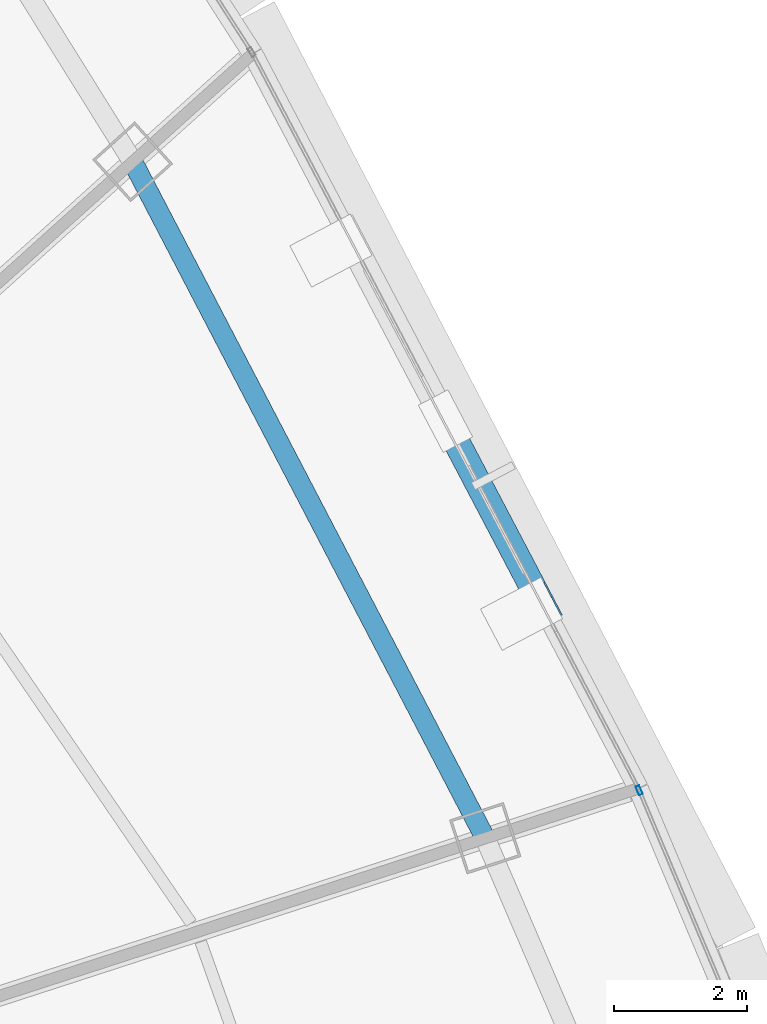
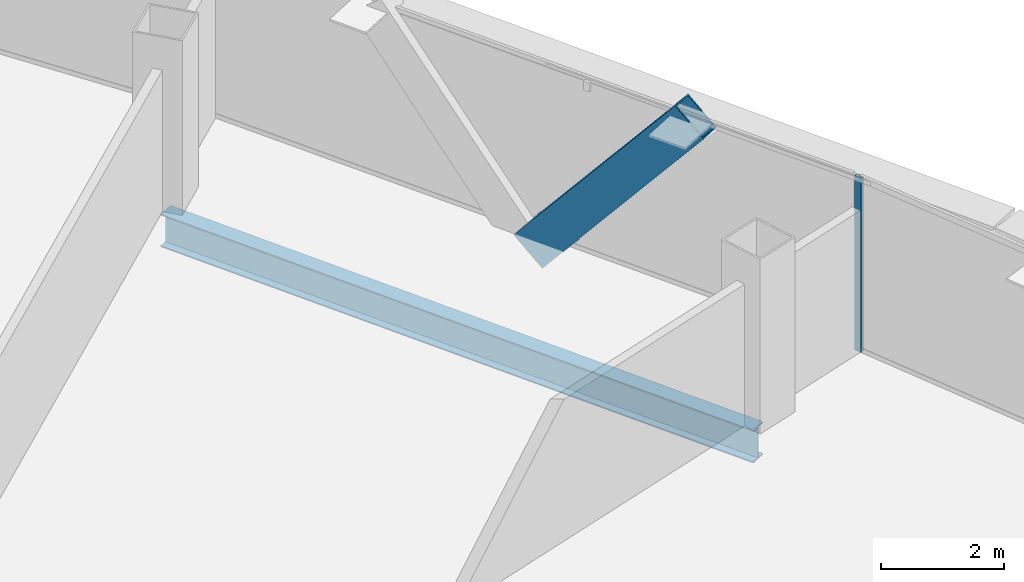
# One storey, part 14 of 36: 2 members, 1 beam, 1 element without a shape of its own.
"""IFC4 building model written with IfcOpenShell, lengths in metres."""

from ifc_helpers import new_model, si_unit, direction, frame, origin, origin_2d, place, context, subcontext, project, spatial, hollow_rectangle, i_section, extrude, source, transform, mapped, material, layer, layer_set, material_profile, profile_set, type_object, element, aggregate, save


model = new_model("IFC4")

# Units and contexts
model_context = context("Model", 3, precision=1e-05, world=origin(), true_north=direction((0.0, 1.0)))
body_context = subcontext(model_context, "Body", "Model", "MODEL_VIEW")
ifc_project = project(units=[si_unit("LENGTHUNIT", "METRE"), si_unit("AREAUNIT", "SQUARE_METRE"), si_unit("VOLUMEUNIT", "CUBIC_METRE"), si_unit("PLANEANGLEUNIT", "RADIAN"), si_unit("MASSUNIT", "GRAM", prefix="KILO"), si_unit("THERMODYNAMICTEMPERATUREUNIT", "KELVIN"), si_unit("POWERUNIT", "WATT")], contexts=[model_context])

# Site, building, storey
site_placement = place(None, origin())
site = spatial("IfcSite", under=ifc_project, at=site_placement, CompositionType="ELEMENT")
building_placement = place(site_placement, origin())
building = spatial("IfcBuilding", under=site, at=building_placement, Name="Yunzhuo Pagoda Commons", CompositionType="ELEMENT")
storey_placement = place(building_placement, frame((0.0, 0.0, 248.260009765625)))
storey = spatial("IfcBuildingStorey", under=building, at=storey_placement, Name="L62", CompositionType="ELEMENT", Elevation=248.260009765625)

# Beam
ifc_material_1 = material(Name="Structural steel Q355B", Category="steel")
ifc_material_profile_1 = material_profile(ifc_material_1, i_section(OverallWidth=0.300048828125, OverallDepth=0.64990234375, WebThickness=0.012939453125, FlangeThickness=0.02197265625, at=origin_2d()), Name="Structural steel Q355B")
ifc_profile_set_1 = profile_set([ifc_material_profile_1], Name="Structural steel Q355B")
beam_type = type_object("IfcBeamType", Name="B-RG2 Beam HN 650x300x13x22", PredefinedType="BEAM", material=ifc_profile_set_1)
shared_shape_1 = source(origin(), body_context, "Body", "SweptSolid", [
    extrude(i_section(OverallWidth=0.300048828125, OverallDepth=0.64990234375, WebThickness=0.012939453125, FlangeThickness=0.02197265625, at=origin_2d()), origin(), (0.0, 0.0, 1.0), 11.43896484375),
])
beam_placement = place(storey_placement, frame((73.898681640625, 42.114990234375, -0.5849609375), z_axis=(-0.462175736513, 0.886788356136, 0.0), x_axis=(-0.886788356136, -0.462175736513, 0.0)))
element("IfcBeam", 1, at=beam_placement, inside=storey, type_object=beam_type, Name="L62 column-ring beam 6", PredefinedType="BEAM", context=body_context, shape_type="MappedRepresentation", body=[
    mapped(shared_shape_1, transform((0.0, 0.0, 0.0), scale=1.0)),
])

# Member
ifc_material_profile_2 = material_profile(ifc_material_1, hollow_rectangle(XDim=0.39990234375, YDim=0.719970703125, WallThickness=0.02392578125, at=origin_2d()), Name="Structural steel Q355B")
ifc_profile_set_2 = profile_set([ifc_material_profile_2], Name="Structural steel Q355B")
member_type_1 = type_object("IfcMemberType", Name="M-DL2 Brace BOX 720x400x24", PredefinedType="BRACE", material=ifc_profile_set_2)
shared_shape_2 = source(origin(), body_context, "Body", "SweptSolid", [
    extrude(hollow_rectangle(XDim=0.39990234375, YDim=0.719970703125, WallThickness=0.02392578125, at=origin_2d()), origin(), (0.0, 0.0, 1.0), 4.857421875),
])
member_1_placement = place(storey_placement, frame((73.303466796875, 48.370361328125, -0.260009765625), z_axis=(0.29770365409, -0.567109628415, 0.767957813751), x_axis=(0.885416472783, 0.46479852595, 0.0)))
element("IfcMember", 2, at=member_1_placement, inside=storey, type_object=member_type_1, Name="L62 facade diamond brace F2.2L", PredefinedType="BRACE", context=body_context, shape_type="MappedRepresentation", body=[
    mapped(shared_shape_2, transform((0.0, 0.0, 0.0), scale=1.0)),
])

# Curtain wall, member
ifc_material_2 = material(Name="Anodized aluminium 6063-T6", Category="aluminium")
ifc_layer = layer(ifc_material_2, 0.139892578125)
ifc_layer_set = layer_set([ifc_layer], Name="Anodized aluminium 6063-T6")
curtain_wall_type = type_object("IfcCurtainWallType", Name="CW-HI High-Zone Ribbon Curtain Wall", PredefinedType="NOTDEFINED", material=ifc_layer_set)
curtain_wall_placement = place(storey_placement, origin())
curtain_wall = element("IfcCurtainWall", 3, at=curtain_wall_placement, inside=storey, type_object=curtain_wall_type, Name="L62 curtain wall CW-L62-F2B2", PredefinedType="NOTDEFINED")
ifc_material_profile_3 = material_profile(ifc_material_2, hollow_rectangle(XDim=0.06005859375, YDim=0.139892578125, WallThickness=0.00341796875, at=origin_2d()), Name="Anodized aluminium 6063-T6")
ifc_profile_set_3 = profile_set([ifc_material_profile_3], Name="Anodized aluminium 6063-T6")
member_type_2 = type_object("IfcMemberType", Name="CW-HI-M Mullion RHS 140x60x3.5", PredefinedType="MULLION", material=ifc_profile_set_3)
shared_shape_3 = source(origin(), body_context, "Body", "SweptSolid", [
    extrude(hollow_rectangle(XDim=0.06005859375, YDim=0.139892578125, WallThickness=0.00341796875, at=origin_2d()), origin(), (0.0, 0.0, 1.0), 3.47021484375),
])
member_2_placement = place(storey_placement, frame((76.20703125, 42.83349609375, 0.0), z_axis=(0.0, 0.0, 1.0), x_axis=(-0.922008372235, -0.387169938824, 0.0)))
member_2 = element("IfcMember", 4, at=member_2_placement, type_object=member_type_2, Name="CW mullion 2", PredefinedType="MULLION", context=body_context, shape_type="MappedRepresentation", body=[
    mapped(shared_shape_3, transform((0.0, 0.0, 0.0), scale=1.0)),
])
aggregate(curtain_wall, [member_2])

save(model, "model.ifc")
